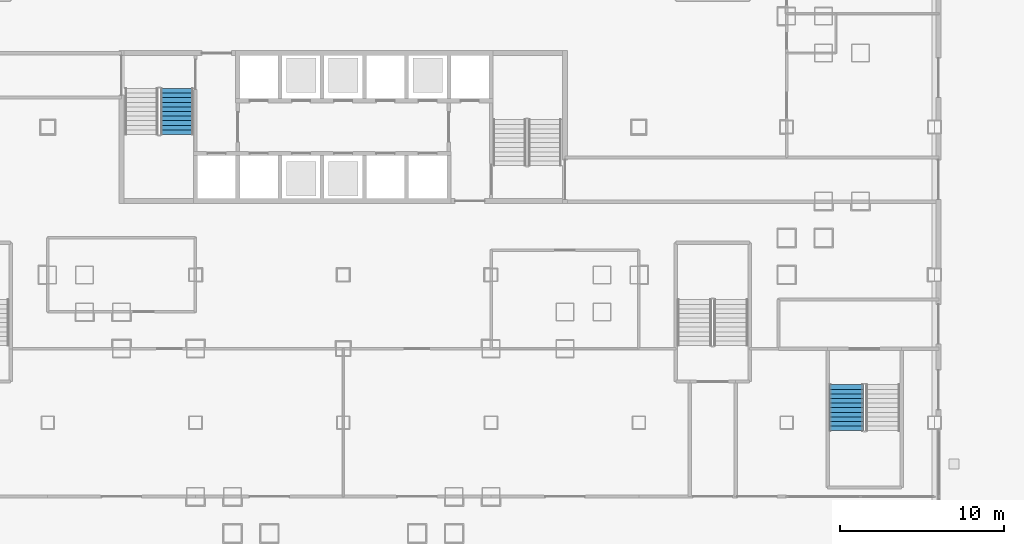
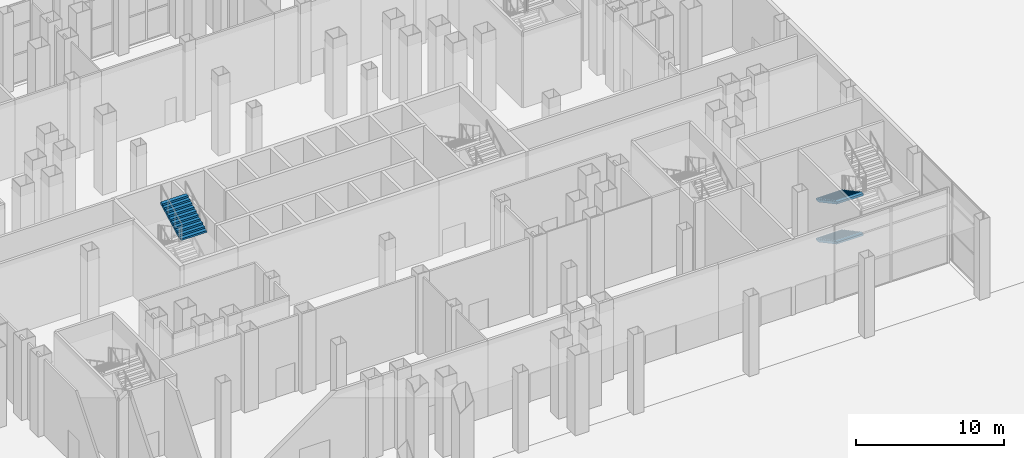
# One storey, part 23 of 38: 3 stair flights, 2 elements without a shape of their own.
"""IFC4 building model written with IfcOpenShell, lengths in metres."""

from ifc_helpers import new_model, si_unit, direction, frame, origin, place, context, subcontext, project, spatial, polygons, material, type_object, element, aggregate, save


model = new_model("IFC4")

# Units and contexts
model_context = context("Model", 3, precision=1e-05, world=origin(), true_north=direction((0.0, 1.0)))
body_context = subcontext(model_context, "Body", "Model", "MODEL_VIEW")
ifc_project = project(units=[si_unit("LENGTHUNIT", "METRE"), si_unit("AREAUNIT", "SQUARE_METRE"), si_unit("VOLUMEUNIT", "CUBIC_METRE"), si_unit("PLANEANGLEUNIT", "RADIAN"), si_unit("MASSUNIT", "GRAM", prefix="KILO")], contexts=[model_context])

# Site, building, storey
site_placement = place(None, origin())
site = spatial("IfcSite", under=ifc_project, at=site_placement, CompositionType="ELEMENT")
building_placement = place(site_placement, origin())
building = spatial("IfcBuilding", under=site, at=building_placement, Name="Caravel Reach Hotel and Residences", CompositionType="ELEMENT")
storey_placement = place(building_placement, origin())
storey = spatial("IfcBuildingStorey", under=building, at=storey_placement, Name="L00", CompositionType="ELEMENT", Elevation=0.0)

# Stair, stair flight
ifc_material_1 = material(Name="Concrete C40", Category="concrete")
stair_type = type_object("IfcStairType", Name="Core stair", PredefinedType="HALF_TURN_STAIR", material=ifc_material_1)
stair_1_placement = place(storey_placement, origin())
stair_1 = element("IfcStair", 1, at=stair_1_placement, inside=storey, type_object=stair_type, Name="L00 Exit stair A", PredefinedType="HALF_TURN_STAIR")
ifc_material_2 = material(Name="Concrete C40", Category="concrete")
stair_flight_type = type_object("IfcStairFlightType", Name="Core stair flight", PredefinedType="STRAIGHT", material=ifc_material_2)
stair_flight_1_placement = place(storey_placement, frame((21.375, 26.550048828125, 4.949951171875), z_axis=(0.0, 0.0, 1.0), x_axis=(0.0, 1.0, 0.0)))
stair_flight_1 = element("IfcStairFlight", 2, at=stair_flight_1_placement, type_object=stair_flight_type, Name="ST-A flight 4", NumberOfRisers=11, NumberOfTreads=10, PredefinedType="STRAIGHT", RiserHeight=0.15, TreadLength=0.28, context=body_context, shape_type="Tessellation", body=[
    polygons([(0.3174408016601862, 1.0, 0.0), (0.3174408016601862, 0.6666666666666667, 0.0), (0.3174408016601862, 0.33333333333333337, 0.0), (0.3174408016601862, 0.0, 0.0), (0.3174408016601862, -0.33333333333333326, 0.0), (0.3174408016601862, -0.6666666666666667, 0.0), (0.3174408016601862, -1.0, 0.0), (2.801, 1.0, 1.329942427682043), (2.801, 0.6666666666666667, 1.329942427682043), (2.801, 0.33333333333333337, 1.329942427682043), (2.801, 0.0, 1.329942427682043), (2.801, -0.33333333333333326, 1.329942427682043), (2.801, -0.6666666666666667, 1.329942427682043), (2.801, -1.0, 1.329942427682043), (2.801, 1.0, 1.5), (2.801, 0.6666666666666667, 1.5), (2.801, 0.33333333333333337, 1.5), (2.801, 0.0, 1.5), (2.801, -0.33333333333333326, 1.5), (2.801, -0.6666666666666667, 1.5), (2.801, -1.0, 1.5), (2.5200000000000005, 1.0, 1.5), (2.5200000000000005, 0.6666666666666667, 1.5), (2.5200000000000005, 0.33333333333333337, 1.5), (2.5200000000000005, 0.0, 1.5), (2.5200000000000005, -0.33333333333333326, 1.5), (2.5200000000000005, -0.6666666666666667, 1.5), (2.5200000000000005, -1.0, 1.5), (2.5200000000000005, 1.0, 1.3499999999999999), (2.5200000000000005, 0.6666666666666667, 1.3499999999999999), (2.5200000000000005, 0.33333333333333337, 1.3499999999999999), (2.5200000000000005, 0.0, 1.3499999999999999), (2.5200000000000005, -0.33333333333333326, 1.3499999999999999), (2.5200000000000005, -0.6666666666666667, 1.3499999999999999), (2.5200000000000005, -1.0, 1.3499999999999999), (2.24, 1.0, 1.3499999999999999), (2.24, 0.6666666666666667, 1.3499999999999999), (2.24, 0.33333333333333337, 1.3499999999999999), (2.24, 0.0, 1.3499999999999999), (2.24, -0.33333333333333326, 1.3499999999999999), (2.24, -0.6666666666666667, 1.3499999999999999), (2.24, -1.0, 1.3499999999999999), (2.24, 1.0, 1.2), (2.24, 0.6666666666666667, 1.2), (2.24, 0.33333333333333337, 1.2), (2.24, 0.0, 1.2), (2.24, -0.33333333333333326, 1.2), (2.24, -0.6666666666666667, 1.2), (2.24, -1.0, 1.2), (1.9600000000000002, 1.0, 1.2), (1.9600000000000002, 0.6666666666666667, 1.2), (1.9600000000000002, 0.33333333333333337, 1.2), (1.9600000000000002, 0.0, 1.2), (1.9600000000000002, -0.33333333333333326, 1.2), (1.9600000000000002, -0.6666666666666667, 1.2), (1.9600000000000002, -1.0, 1.2), (1.9600000000000002, 1.0, 1.05), (1.9600000000000002, 0.6666666666666667, 1.05), (1.9600000000000002, 0.33333333333333337, 1.05), (1.9600000000000002, 0.0, 1.05), (1.9600000000000002, -0.33333333333333326, 1.05), (1.9600000000000002, -0.6666666666666667, 1.05), (1.9600000000000002, -1.0, 1.05), (1.6800000000000002, 1.0, 1.05), (1.6800000000000002, 0.6666666666666667, 1.05), (1.6800000000000002, 0.33333333333333337, 1.05), (1.6800000000000002, 0.0, 1.05), (1.6800000000000002, -0.33333333333333326, 1.05), (1.6800000000000002, -0.6666666666666667, 1.05), (1.6800000000000002, -1.0, 1.05), (1.6800000000000002, 1.0, 0.8999999999999999), (1.6800000000000002, 0.6666666666666667, 0.8999999999999999), (1.6800000000000002, 0.33333333333333337, 0.8999999999999999), (1.6800000000000002, 0.0, 0.8999999999999999), (1.6800000000000002, -0.33333333333333326, 0.8999999999999999), (1.6800000000000002, -0.6666666666666667, 0.8999999999999999), (1.6800000000000002, -1.0, 0.8999999999999999), (1.4000000000000001, 1.0, 0.8999999999999999), (1.4000000000000001, 0.6666666666666667, 0.8999999999999999), (1.4000000000000001, 0.33333333333333337, 0.8999999999999999), (1.4000000000000001, 0.0, 0.8999999999999999), (1.4000000000000001, -0.33333333333333326, 0.8999999999999999), (1.4000000000000001, -0.6666666666666667, 0.8999999999999999), (1.4000000000000001, -1.0, 0.8999999999999999), (1.4000000000000001, 1.0, 0.75), (1.4000000000000001, 0.6666666666666667, 0.75), (1.4000000000000001, 0.33333333333333337, 0.75), (1.4000000000000001, 0.0, 0.75), (1.4000000000000001, -0.33333333333333326, 0.75), (1.4000000000000001, -0.6666666666666667, 0.75), (1.4000000000000001, -1.0, 0.75), (1.12, 1.0, 0.75), (1.12, 0.6666666666666667, 0.75), (1.12, 0.33333333333333337, 0.75), (1.12, 0.0, 0.75), (1.12, -0.33333333333333326, 0.75), (1.12, -0.6666666666666667, 0.75), (1.12, -1.0, 0.75), (1.12, 1.0, 0.6), (1.12, 0.6666666666666667, 0.6), (1.12, 0.33333333333333337, 0.6), (1.12, 0.0, 0.6), (1.12, -0.33333333333333326, 0.6), (1.12, -0.6666666666666667, 0.6), (1.12, -1.0, 0.6), (0.8400000000000001, 1.0, 0.6), (0.8400000000000001, 0.6666666666666667, 0.6), (0.8400000000000001, 0.33333333333333337, 0.6), (0.8400000000000001, 0.0, 0.6), (0.8400000000000001, -0.33333333333333326, 0.6), (0.8400000000000001, -0.6666666666666667, 0.6), (0.8400000000000001, -1.0, 0.6), (0.8400000000000001, 1.0, 0.44999999999999996), (0.8400000000000001, 0.6666666666666667, 0.44999999999999996), (0.8400000000000001, 0.33333333333333337, 0.44999999999999996), (0.8400000000000001, 0.0, 0.44999999999999996), (0.8400000000000001, -0.33333333333333326, 0.44999999999999996), (0.8400000000000001, -0.6666666666666667, 0.44999999999999996), (0.8400000000000001, -1.0, 0.44999999999999996), (0.56, 1.0, 0.44999999999999996), (0.56, 0.6666666666666667, 0.44999999999999996), (0.56, 0.33333333333333337, 0.44999999999999996), (0.56, 0.0, 0.44999999999999996), (0.56, -0.33333333333333326, 0.44999999999999996), (0.56, -0.6666666666666667, 0.44999999999999996), (0.56, -1.0, 0.44999999999999996), (0.56, 1.0, 0.3), (0.56, 0.6666666666666667, 0.3), (0.56, 0.33333333333333337, 0.3), (0.56, 0.0, 0.3), (0.56, -0.33333333333333326, 0.3), (0.56, -0.6666666666666667, 0.3), (0.56, -1.0, 0.3), (0.28, 1.0, 0.3), (0.28, 0.6666666666666667, 0.3), (0.28, 0.33333333333333337, 0.3), (0.28, 0.0, 0.3), (0.28, -0.33333333333333326, 0.3), (0.28, -0.6666666666666667, 0.3), (0.28, -1.0, 0.3), (0.28, 1.0, 0.15), (0.28, 0.6666666666666667, 0.15), (0.28, 0.33333333333333337, 0.15), (0.28, 0.0, 0.15), (0.28, -0.33333333333333326, 0.15), (0.28, -0.6666666666666667, 0.15), (0.28, -1.0, 0.15), (-0.001, 1.0, 0.15), (-0.001, 0.6666666666666667, 0.15), (-0.001, 0.33333333333333337, 0.15), (-0.001, 0.0, 0.15), (-0.001, -0.33333333333333326, 0.15), (-0.001, -0.6666666666666667, 0.15), (-0.001, -1.0, 0.15), (-0.001, 1.0, 0.0), (-0.001, 0.6666666666666667, 0.0), (-0.001, 0.33333333333333337, 0.0), (-0.001, 0.0, 0.0), (-0.001, -0.33333333333333326, 0.0), (-0.001, -0.6666666666666667, 0.0), (-0.001, -1.0, 0.0)], [[[155, 148, 141, 134, 127, 120, 113, 106, 99, 92, 85, 78, 71, 64, 57, 50, 43, 36, 29, 22, 15, 8, 1]], [[7, 14, 21, 28, 35, 42, 49, 56, 63, 70, 77, 84, 91, 98, 105, 112, 119, 126, 133, 140, 147, 154, 161]], [[1, 8, 9, 2]], [[2, 9, 10, 3]], [[3, 10, 11, 4]], [[4, 11, 12, 5]], [[5, 12, 13, 6]], [[6, 13, 14, 7]], [[8, 15, 16, 9]], [[9, 16, 17, 10]], [[10, 17, 18, 11]], [[11, 18, 19, 12]], [[12, 19, 20, 13]], [[13, 20, 21, 14]], [[15, 22, 23, 16]], [[16, 23, 24, 17]], [[17, 24, 25, 18]], [[18, 25, 26, 19]], [[19, 26, 27, 20]], [[20, 27, 28, 21]], [[22, 29, 30, 23]], [[23, 30, 31, 24]], [[24, 31, 32, 25]], [[25, 32, 33, 26]], [[26, 33, 34, 27]], [[27, 34, 35, 28]], [[29, 36, 37, 30]], [[30, 37, 38, 31]], [[31, 38, 39, 32]], [[32, 39, 40, 33]], [[33, 40, 41, 34]], [[34, 41, 42, 35]], [[36, 43, 44, 37]], [[37, 44, 45, 38]], [[38, 45, 46, 39]], [[39, 46, 47, 40]], [[40, 47, 48, 41]], [[41, 48, 49, 42]], [[43, 50, 51, 44]], [[44, 51, 52, 45]], [[45, 52, 53, 46]], [[46, 53, 54, 47]], [[47, 54, 55, 48]], [[48, 55, 56, 49]], [[50, 57, 58, 51]], [[51, 58, 59, 52]], [[52, 59, 60, 53]], [[53, 60, 61, 54]], [[54, 61, 62, 55]], [[55, 62, 63, 56]], [[57, 64, 65, 58]], [[58, 65, 66, 59]], [[59, 66, 67, 60]], [[60, 67, 68, 61]], [[61, 68, 69, 62]], [[62, 69, 70, 63]], [[64, 71, 72, 65]], [[65, 72, 73, 66]], [[66, 73, 74, 67]], [[67, 74, 75, 68]], [[68, 75, 76, 69]], [[69, 76, 77, 70]], [[71, 78, 79, 72]], [[72, 79, 80, 73]], [[73, 80, 81, 74]], [[74, 81, 82, 75]], [[75, 82, 83, 76]], [[76, 83, 84, 77]], [[78, 85, 86, 79]], [[79, 86, 87, 80]], [[80, 87, 88, 81]], [[81, 88, 89, 82]], [[82, 89, 90, 83]], [[83, 90, 91, 84]], [[85, 92, 93, 86]], [[86, 93, 94, 87]], [[87, 94, 95, 88]], [[88, 95, 96, 89]], [[89, 96, 97, 90]], [[90, 97, 98, 91]], [[92, 99, 100, 93]], [[93, 100, 101, 94]], [[94, 101, 102, 95]], [[95, 102, 103, 96]], [[96, 103, 104, 97]], [[97, 104, 105, 98]], [[99, 106, 107, 100]], [[100, 107, 108, 101]], [[101, 108, 109, 102]], [[102, 109, 110, 103]], [[103, 110, 111, 104]], [[104, 111, 112, 105]], [[106, 113, 114, 107]], [[107, 114, 115, 108]], [[108, 115, 116, 109]], [[109, 116, 117, 110]], [[110, 117, 118, 111]], [[111, 118, 119, 112]], [[113, 120, 121, 114]], [[114, 121, 122, 115]], [[115, 122, 123, 116]], [[116, 123, 124, 117]], [[117, 124, 125, 118]], [[118, 125, 126, 119]], [[120, 127, 128, 121]], [[121, 128, 129, 122]], [[122, 129, 130, 123]], [[123, 130, 131, 124]], [[124, 131, 132, 125]], [[125, 132, 133, 126]], [[127, 134, 135, 128]], [[128, 135, 136, 129]], [[129, 136, 137, 130]], [[130, 137, 138, 131]], [[131, 138, 139, 132]], [[132, 139, 140, 133]], [[134, 141, 142, 135]], [[135, 142, 143, 136]], [[136, 143, 144, 137]], [[137, 144, 145, 138]], [[138, 145, 146, 139]], [[139, 146, 147, 140]], [[141, 148, 149, 142]], [[142, 149, 150, 143]], [[143, 150, 151, 144]], [[144, 151, 152, 145]], [[145, 152, 153, 146]], [[146, 153, 154, 147]], [[148, 155, 156, 149]], [[149, 156, 157, 150]], [[150, 157, 158, 151]], [[151, 158, 159, 152]], [[152, 159, 160, 153]], [[153, 160, 161, 154]], [[155, 1, 2, 156]], [[156, 2, 3, 157]], [[157, 3, 4, 158]], [[158, 4, 5, 159]], [[159, 5, 6, 160]], [[160, 6, 7, 161]]], closed=True),
])
aggregate(stair_1, [stair_flight_1])

# Stair, stair flights
stair_2_placement = place(storey_placement, origin())
stair_2 = element("IfcStair", 3, at=stair_2_placement, inside=storey, type_object=stair_type, Name="L00 Exit stair P7", PredefinedType="HALF_TURN_STAIR")
stair_flight_2_placement = place(storey_placement, frame((62.139892578125, 11.31005859375, 0.0), z_axis=(0.0, 0.0, 1.0), x_axis=(0.0, -1.0, 0.0)))
stair_flight_2 = element("IfcStairFlight", 4, at=stair_flight_2_placement, type_object=stair_flight_type, Name="ST-P7 flight 1", NumberOfRisers=11, NumberOfTreads=10, PredefinedType="STRAIGHT", RiserHeight=0.15, TreadLength=0.28, context=body_context, shape_type="Tessellation", body=[
    polygons([(0.3174408016601862, 1.0350341796875, 0.0), (0.3174408016601862, 0.6900227864583333, 0.0), (0.3174408016601862, 0.34501139322916663, 0.0), (0.3174408016601862, 0.0, 0.0), (0.3174408016601862, -0.34501139322916674, 0.0), (0.3174408016601862, -0.6900227864583333, 0.0), (0.3174408016601862, -1.0350341796875, 0.0), (2.801, 1.0350341796875, 1.329942427682043), (2.801, 0.6900227864583333, 1.329942427682043), (2.801, 0.34501139322916663, 1.329942427682043), (2.801, 0.0, 1.329942427682043), (2.801, -0.34501139322916674, 1.329942427682043), (2.801, -0.6900227864583333, 1.329942427682043), (2.801, -1.0350341796875, 1.329942427682043), (2.801, 1.0350341796875, 1.5), (2.801, 0.6900227864583333, 1.5), (2.801, 0.34501139322916663, 1.5), (2.801, 0.0, 1.5), (2.801, -0.34501139322916674, 1.5), (2.801, -0.6900227864583333, 1.5), (2.801, -1.0350341796875, 1.5), (2.5200000000000005, 1.0350341796875, 1.5), (2.5200000000000005, 0.6900227864583333, 1.5), (2.5200000000000005, 0.34501139322916663, 1.5), (2.5200000000000005, 0.0, 1.5), (2.5200000000000005, -0.34501139322916674, 1.5), (2.5200000000000005, -0.6900227864583333, 1.5), (2.5200000000000005, -1.0350341796875, 1.5), (2.5200000000000005, 1.0350341796875, 1.3499999999999999), (2.5200000000000005, 0.6900227864583333, 1.3499999999999999), (2.5200000000000005, 0.34501139322916663, 1.3499999999999999), (2.5200000000000005, 0.0, 1.3499999999999999), (2.5200000000000005, -0.34501139322916674, 1.3499999999999999), (2.5200000000000005, -0.6900227864583333, 1.3499999999999999), (2.5200000000000005, -1.0350341796875, 1.3499999999999999), (2.24, 1.0350341796875, 1.3499999999999999), (2.24, 0.6900227864583333, 1.3499999999999999), (2.24, 0.34501139322916663, 1.3499999999999999), (2.24, 0.0, 1.3499999999999999), (2.24, -0.34501139322916674, 1.3499999999999999), (2.24, -0.6900227864583333, 1.3499999999999999), (2.24, -1.0350341796875, 1.3499999999999999), (2.24, 1.0350341796875, 1.2), (2.24, 0.6900227864583333, 1.2), (2.24, 0.34501139322916663, 1.2), (2.24, 0.0, 1.2), (2.24, -0.34501139322916674, 1.2), (2.24, -0.6900227864583333, 1.2), (2.24, -1.0350341796875, 1.2), (1.9600000000000002, 1.0350341796875, 1.2), (1.9600000000000002, 0.6900227864583333, 1.2), (1.9600000000000002, 0.34501139322916663, 1.2), (1.9600000000000002, 0.0, 1.2), (1.9600000000000002, -0.34501139322916674, 1.2), (1.9600000000000002, -0.6900227864583333, 1.2), (1.9600000000000002, -1.0350341796875, 1.2), (1.9600000000000002, 1.0350341796875, 1.05), (1.9600000000000002, 0.6900227864583333, 1.05), (1.9600000000000002, 0.34501139322916663, 1.05), (1.9600000000000002, 0.0, 1.05), (1.9600000000000002, -0.34501139322916674, 1.05), (1.9600000000000002, -0.6900227864583333, 1.05), (1.9600000000000002, -1.0350341796875, 1.05), (1.6800000000000002, 1.0350341796875, 1.05), (1.6800000000000002, 0.6900227864583333, 1.05), (1.6800000000000002, 0.34501139322916663, 1.05), (1.6800000000000002, 0.0, 1.05), (1.6800000000000002, -0.34501139322916674, 1.05), (1.6800000000000002, -0.6900227864583333, 1.05), (1.6800000000000002, -1.0350341796875, 1.05), (1.6800000000000002, 1.0350341796875, 0.8999999999999999), (1.6800000000000002, 0.6900227864583333, 0.8999999999999999), (1.6800000000000002, 0.34501139322916663, 0.8999999999999999), (1.6800000000000002, 0.0, 0.8999999999999999), (1.6800000000000002, -0.34501139322916674, 0.8999999999999999), (1.6800000000000002, -0.6900227864583333, 0.8999999999999999), (1.6800000000000002, -1.0350341796875, 0.8999999999999999), (1.4000000000000001, 1.0350341796875, 0.8999999999999999), (1.4000000000000001, 0.6900227864583333, 0.8999999999999999), (1.4000000000000001, 0.34501139322916663, 0.8999999999999999), (1.4000000000000001, 0.0, 0.8999999999999999), (1.4000000000000001, -0.34501139322916674, 0.8999999999999999), (1.4000000000000001, -0.6900227864583333, 0.8999999999999999), (1.4000000000000001, -1.0350341796875, 0.8999999999999999), (1.4000000000000001, 1.0350341796875, 0.75), (1.4000000000000001, 0.6900227864583333, 0.75), (1.4000000000000001, 0.34501139322916663, 0.75), (1.4000000000000001, 0.0, 0.75), (1.4000000000000001, -0.34501139322916674, 0.75), (1.4000000000000001, -0.6900227864583333, 0.75), (1.4000000000000001, -1.0350341796875, 0.75), (1.12, 1.0350341796875, 0.75), (1.12, 0.6900227864583333, 0.75), (1.12, 0.34501139322916663, 0.75), (1.12, 0.0, 0.75), (1.12, -0.34501139322916674, 0.75), (1.12, -0.6900227864583333, 0.75), (1.12, -1.0350341796875, 0.75), (1.12, 1.0350341796875, 0.6), (1.12, 0.6900227864583333, 0.6), (1.12, 0.34501139322916663, 0.6), (1.12, 0.0, 0.6), (1.12, -0.34501139322916674, 0.6), (1.12, -0.6900227864583333, 0.6), (1.12, -1.0350341796875, 0.6), (0.8400000000000001, 1.0350341796875, 0.6), (0.8400000000000001, 0.6900227864583333, 0.6), (0.8400000000000001, 0.34501139322916663, 0.6), (0.8400000000000001, 0.0, 0.6), (0.8400000000000001, -0.34501139322916674, 0.6), (0.8400000000000001, -0.6900227864583333, 0.6), (0.8400000000000001, -1.0350341796875, 0.6), (0.8400000000000001, 1.0350341796875, 0.44999999999999996), (0.8400000000000001, 0.6900227864583333, 0.44999999999999996), (0.8400000000000001, 0.34501139322916663, 0.44999999999999996), (0.8400000000000001, 0.0, 0.44999999999999996), (0.8400000000000001, -0.34501139322916674, 0.44999999999999996), (0.8400000000000001, -0.6900227864583333, 0.44999999999999996), (0.8400000000000001, -1.0350341796875, 0.44999999999999996), (0.56, 1.0350341796875, 0.44999999999999996), (0.56, 0.6900227864583333, 0.44999999999999996), (0.56, 0.34501139322916663, 0.44999999999999996), (0.56, 0.0, 0.44999999999999996), (0.56, -0.34501139322916674, 0.44999999999999996), (0.56, -0.6900227864583333, 0.44999999999999996), (0.56, -1.0350341796875, 0.44999999999999996), (0.56, 1.0350341796875, 0.3), (0.56, 0.6900227864583333, 0.3), (0.56, 0.34501139322916663, 0.3), (0.56, 0.0, 0.3), (0.56, -0.34501139322916674, 0.3), (0.56, -0.6900227864583333, 0.3), (0.56, -1.0350341796875, 0.3), (0.28, 1.0350341796875, 0.3), (0.28, 0.6900227864583333, 0.3), (0.28, 0.34501139322916663, 0.3), (0.28, 0.0, 0.3), (0.28, -0.34501139322916674, 0.3), (0.28, -0.6900227864583333, 0.3), (0.28, -1.0350341796875, 0.3), (0.28, 1.0350341796875, 0.15), (0.28, 0.6900227864583333, 0.15), (0.28, 0.34501139322916663, 0.15), (0.28, 0.0, 0.15), (0.28, -0.34501139322916674, 0.15), (0.28, -0.6900227864583333, 0.15), (0.28, -1.0350341796875, 0.15), (-0.001, 1.0350341796875, 0.15), (-0.001, 0.6900227864583333, 0.15), (-0.001, 0.34501139322916663, 0.15), (-0.001, 0.0, 0.15), (-0.001, -0.34501139322916674, 0.15), (-0.001, -0.6900227864583333, 0.15), (-0.001, -1.0350341796875, 0.15), (-0.001, 1.0350341796875, 0.0), (-0.001, 0.6900227864583333, 0.0), (-0.001, 0.34501139322916663, 0.0), (-0.001, 0.0, 0.0), (-0.001, -0.34501139322916674, 0.0), (-0.001, -0.6900227864583333, 0.0), (-0.001, -1.0350341796875, 0.0)], [[[155, 148, 141, 134, 127, 120, 113, 106, 99, 92, 85, 78, 71, 64, 57, 50, 43, 36, 29, 22, 15, 8, 1]], [[7, 14, 21, 28, 35, 42, 49, 56, 63, 70, 77, 84, 91, 98, 105, 112, 119, 126, 133, 140, 147, 154, 161]], [[1, 8, 9, 2]], [[2, 9, 10, 3]], [[3, 10, 11, 4]], [[4, 11, 12, 5]], [[5, 12, 13, 6]], [[6, 13, 14, 7]], [[8, 15, 16, 9]], [[9, 16, 17, 10]], [[10, 17, 18, 11]], [[11, 18, 19, 12]], [[12, 19, 20, 13]], [[13, 20, 21, 14]], [[15, 22, 23, 16]], [[16, 23, 24, 17]], [[17, 24, 25, 18]], [[18, 25, 26, 19]], [[19, 26, 27, 20]], [[20, 27, 28, 21]], [[22, 29, 30, 23]], [[23, 30, 31, 24]], [[24, 31, 32, 25]], [[25, 32, 33, 26]], [[26, 33, 34, 27]], [[27, 34, 35, 28]], [[29, 36, 37, 30]], [[30, 37, 38, 31]], [[31, 38, 39, 32]], [[32, 39, 40, 33]], [[33, 40, 41, 34]], [[34, 41, 42, 35]], [[36, 43, 44, 37]], [[37, 44, 45, 38]], [[38, 45, 46, 39]], [[39, 46, 47, 40]], [[40, 47, 48, 41]], [[41, 48, 49, 42]], [[43, 50, 51, 44]], [[44, 51, 52, 45]], [[45, 52, 53, 46]], [[46, 53, 54, 47]], [[47, 54, 55, 48]], [[48, 55, 56, 49]], [[50, 57, 58, 51]], [[51, 58, 59, 52]], [[52, 59, 60, 53]], [[53, 60, 61, 54]], [[54, 61, 62, 55]], [[55, 62, 63, 56]], [[57, 64, 65, 58]], [[58, 65, 66, 59]], [[59, 66, 67, 60]], [[60, 67, 68, 61]], [[61, 68, 69, 62]], [[62, 69, 70, 63]], [[64, 71, 72, 65]], [[65, 72, 73, 66]], [[66, 73, 74, 67]], [[67, 74, 75, 68]], [[68, 75, 76, 69]], [[69, 76, 77, 70]], [[71, 78, 79, 72]], [[72, 79, 80, 73]], [[73, 80, 81, 74]], [[74, 81, 82, 75]], [[75, 82, 83, 76]], [[76, 83, 84, 77]], [[78, 85, 86, 79]], [[79, 86, 87, 80]], [[80, 87, 88, 81]], [[81, 88, 89, 82]], [[82, 89, 90, 83]], [[83, 90, 91, 84]], [[85, 92, 93, 86]], [[86, 93, 94, 87]], [[87, 94, 95, 88]], [[88, 95, 96, 89]], [[89, 96, 97, 90]], [[90, 97, 98, 91]], [[92, 99, 100, 93]], [[93, 100, 101, 94]], [[94, 101, 102, 95]], [[95, 102, 103, 96]], [[96, 103, 104, 97]], [[97, 104, 105, 98]], [[99, 106, 107, 100]], [[100, 107, 108, 101]], [[101, 108, 109, 102]], [[102, 109, 110, 103]], [[103, 110, 111, 104]], [[104, 111, 112, 105]], [[106, 113, 114, 107]], [[107, 114, 115, 108]], [[108, 115, 116, 109]], [[109, 116, 117, 110]], [[110, 117, 118, 111]], [[111, 118, 119, 112]], [[113, 120, 121, 114]], [[114, 121, 122, 115]], [[115, 122, 123, 116]], [[116, 123, 124, 117]], [[117, 124, 125, 118]], [[118, 125, 126, 119]], [[120, 127, 128, 121]], [[121, 128, 129, 122]], [[122, 129, 130, 123]], [[123, 130, 131, 124]], [[124, 131, 132, 125]], [[125, 132, 133, 126]], [[127, 134, 135, 128]], [[128, 135, 136, 129]], [[129, 136, 137, 130]], [[130, 137, 138, 131]], [[131, 138, 139, 132]], [[132, 139, 140, 133]], [[134, 141, 142, 135]], [[135, 142, 143, 136]], [[136, 143, 144, 137]], [[137, 144, 145, 138]], [[138, 145, 146, 139]], [[139, 146, 147, 140]], [[141, 148, 149, 142]], [[142, 149, 150, 143]], [[143, 150, 151, 144]], [[144, 151, 152, 145]], [[145, 152, 153, 146]], [[146, 153, 154, 147]], [[148, 155, 156, 149]], [[149, 156, 157, 150]], [[150, 157, 158, 151]], [[151, 158, 159, 152]], [[152, 159, 160, 153]], [[153, 160, 161, 154]], [[155, 1, 2, 156]], [[156, 2, 3, 157]], [[157, 3, 4, 158]], [[158, 4, 5, 159]], [[159, 5, 6, 160]], [[160, 6, 7, 161]]], closed=True),
])
stair_flight_3_placement = place(storey_placement, frame((62.139892578125, 11.31005859375, 3.300048828125), z_axis=(0.0, 0.0, 1.0), x_axis=(0.0, -1.0, 0.0)))
stair_flight_3 = element("IfcStairFlight", 5, at=stair_flight_3_placement, type_object=stair_flight_type, Name="ST-P7 flight 3", NumberOfRisers=11, NumberOfTreads=10, PredefinedType="STRAIGHT", RiserHeight=0.15, TreadLength=0.28, context=body_context, shape_type="Tessellation", body=[
    polygons([(0.3174408016601862, 1.0350341796875, 0.0), (0.3174408016601862, 0.6900227864583333, 0.0), (0.3174408016601862, 0.34501139322916663, 0.0), (0.3174408016601862, 0.0, 0.0), (0.3174408016601862, -0.34501139322916674, 0.0), (0.3174408016601862, -0.6900227864583333, 0.0), (0.3174408016601862, -1.0350341796875, 0.0), (2.801, 1.0350341796875, 1.329942427682043), (2.801, 0.6900227864583333, 1.329942427682043), (2.801, 0.34501139322916663, 1.329942427682043), (2.801, 0.0, 1.329942427682043), (2.801, -0.34501139322916674, 1.329942427682043), (2.801, -0.6900227864583333, 1.329942427682043), (2.801, -1.0350341796875, 1.329942427682043), (2.801, 1.0350341796875, 1.5), (2.801, 0.6900227864583333, 1.5), (2.801, 0.34501139322916663, 1.5), (2.801, 0.0, 1.5), (2.801, -0.34501139322916674, 1.5), (2.801, -0.6900227864583333, 1.5), (2.801, -1.0350341796875, 1.5), (2.5200000000000005, 1.0350341796875, 1.5), (2.5200000000000005, 0.6900227864583333, 1.5), (2.5200000000000005, 0.34501139322916663, 1.5), (2.5200000000000005, 0.0, 1.5), (2.5200000000000005, -0.34501139322916674, 1.5), (2.5200000000000005, -0.6900227864583333, 1.5), (2.5200000000000005, -1.0350341796875, 1.5), (2.5200000000000005, 1.0350341796875, 1.3499999999999999), (2.5200000000000005, 0.6900227864583333, 1.3499999999999999), (2.5200000000000005, 0.34501139322916663, 1.3499999999999999), (2.5200000000000005, 0.0, 1.3499999999999999), (2.5200000000000005, -0.34501139322916674, 1.3499999999999999), (2.5200000000000005, -0.6900227864583333, 1.3499999999999999), (2.5200000000000005, -1.0350341796875, 1.3499999999999999), (2.24, 1.0350341796875, 1.3499999999999999), (2.24, 0.6900227864583333, 1.3499999999999999), (2.24, 0.34501139322916663, 1.3499999999999999), (2.24, 0.0, 1.3499999999999999), (2.24, -0.34501139322916674, 1.3499999999999999), (2.24, -0.6900227864583333, 1.3499999999999999), (2.24, -1.0350341796875, 1.3499999999999999), (2.24, 1.0350341796875, 1.2), (2.24, 0.6900227864583333, 1.2), (2.24, 0.34501139322916663, 1.2), (2.24, 0.0, 1.2), (2.24, -0.34501139322916674, 1.2), (2.24, -0.6900227864583333, 1.2), (2.24, -1.0350341796875, 1.2), (1.9600000000000002, 1.0350341796875, 1.2), (1.9600000000000002, 0.6900227864583333, 1.2), (1.9600000000000002, 0.34501139322916663, 1.2), (1.9600000000000002, 0.0, 1.2), (1.9600000000000002, -0.34501139322916674, 1.2), (1.9600000000000002, -0.6900227864583333, 1.2), (1.9600000000000002, -1.0350341796875, 1.2), (1.9600000000000002, 1.0350341796875, 1.05), (1.9600000000000002, 0.6900227864583333, 1.05), (1.9600000000000002, 0.34501139322916663, 1.05), (1.9600000000000002, 0.0, 1.05), (1.9600000000000002, -0.34501139322916674, 1.05), (1.9600000000000002, -0.6900227864583333, 1.05), (1.9600000000000002, -1.0350341796875, 1.05), (1.6800000000000002, 1.0350341796875, 1.05), (1.6800000000000002, 0.6900227864583333, 1.05), (1.6800000000000002, 0.34501139322916663, 1.05), (1.6800000000000002, 0.0, 1.05), (1.6800000000000002, -0.34501139322916674, 1.05), (1.6800000000000002, -0.6900227864583333, 1.05), (1.6800000000000002, -1.0350341796875, 1.05), (1.6800000000000002, 1.0350341796875, 0.8999999999999999), (1.6800000000000002, 0.6900227864583333, 0.8999999999999999), (1.6800000000000002, 0.34501139322916663, 0.8999999999999999), (1.6800000000000002, 0.0, 0.8999999999999999), (1.6800000000000002, -0.34501139322916674, 0.8999999999999999), (1.6800000000000002, -0.6900227864583333, 0.8999999999999999), (1.6800000000000002, -1.0350341796875, 0.8999999999999999), (1.4000000000000001, 1.0350341796875, 0.8999999999999999), (1.4000000000000001, 0.6900227864583333, 0.8999999999999999), (1.4000000000000001, 0.34501139322916663, 0.8999999999999999), (1.4000000000000001, 0.0, 0.8999999999999999), (1.4000000000000001, -0.34501139322916674, 0.8999999999999999), (1.4000000000000001, -0.6900227864583333, 0.8999999999999999), (1.4000000000000001, -1.0350341796875, 0.8999999999999999), (1.4000000000000001, 1.0350341796875, 0.75), (1.4000000000000001, 0.6900227864583333, 0.75), (1.4000000000000001, 0.34501139322916663, 0.75), (1.4000000000000001, 0.0, 0.75), (1.4000000000000001, -0.34501139322916674, 0.75), (1.4000000000000001, -0.6900227864583333, 0.75), (1.4000000000000001, -1.0350341796875, 0.75), (1.12, 1.0350341796875, 0.75), (1.12, 0.6900227864583333, 0.75), (1.12, 0.34501139322916663, 0.75), (1.12, 0.0, 0.75), (1.12, -0.34501139322916674, 0.75), (1.12, -0.6900227864583333, 0.75), (1.12, -1.0350341796875, 0.75), (1.12, 1.0350341796875, 0.6), (1.12, 0.6900227864583333, 0.6), (1.12, 0.34501139322916663, 0.6), (1.12, 0.0, 0.6), (1.12, -0.34501139322916674, 0.6), (1.12, -0.6900227864583333, 0.6), (1.12, -1.0350341796875, 0.6), (0.8400000000000001, 1.0350341796875, 0.6), (0.8400000000000001, 0.6900227864583333, 0.6), (0.8400000000000001, 0.34501139322916663, 0.6), (0.8400000000000001, 0.0, 0.6), (0.8400000000000001, -0.34501139322916674, 0.6), (0.8400000000000001, -0.6900227864583333, 0.6), (0.8400000000000001, -1.0350341796875, 0.6), (0.8400000000000001, 1.0350341796875, 0.44999999999999996), (0.8400000000000001, 0.6900227864583333, 0.44999999999999996), (0.8400000000000001, 0.34501139322916663, 0.44999999999999996), (0.8400000000000001, 0.0, 0.44999999999999996), (0.8400000000000001, -0.34501139322916674, 0.44999999999999996), (0.8400000000000001, -0.6900227864583333, 0.44999999999999996), (0.8400000000000001, -1.0350341796875, 0.44999999999999996), (0.56, 1.0350341796875, 0.44999999999999996), (0.56, 0.6900227864583333, 0.44999999999999996), (0.56, 0.34501139322916663, 0.44999999999999996), (0.56, 0.0, 0.44999999999999996), (0.56, -0.34501139322916674, 0.44999999999999996), (0.56, -0.6900227864583333, 0.44999999999999996), (0.56, -1.0350341796875, 0.44999999999999996), (0.56, 1.0350341796875, 0.3), (0.56, 0.6900227864583333, 0.3), (0.56, 0.34501139322916663, 0.3), (0.56, 0.0, 0.3), (0.56, -0.34501139322916674, 0.3), (0.56, -0.6900227864583333, 0.3), (0.56, -1.0350341796875, 0.3), (0.28, 1.0350341796875, 0.3), (0.28, 0.6900227864583333, 0.3), (0.28, 0.34501139322916663, 0.3), (0.28, 0.0, 0.3), (0.28, -0.34501139322916674, 0.3), (0.28, -0.6900227864583333, 0.3), (0.28, -1.0350341796875, 0.3), (0.28, 1.0350341796875, 0.15), (0.28, 0.6900227864583333, 0.15), (0.28, 0.34501139322916663, 0.15), (0.28, 0.0, 0.15), (0.28, -0.34501139322916674, 0.15), (0.28, -0.6900227864583333, 0.15), (0.28, -1.0350341796875, 0.15), (-0.001, 1.0350341796875, 0.15), (-0.001, 0.6900227864583333, 0.15), (-0.001, 0.34501139322916663, 0.15), (-0.001, 0.0, 0.15), (-0.001, -0.34501139322916674, 0.15), (-0.001, -0.6900227864583333, 0.15), (-0.001, -1.0350341796875, 0.15), (-0.001, 1.0350341796875, 0.0), (-0.001, 0.6900227864583333, 0.0), (-0.001, 0.34501139322916663, 0.0), (-0.001, 0.0, 0.0), (-0.001, -0.34501139322916674, 0.0), (-0.001, -0.6900227864583333, 0.0), (-0.001, -1.0350341796875, 0.0)], [[[155, 148, 141, 134, 127, 120, 113, 106, 99, 92, 85, 78, 71, 64, 57, 50, 43, 36, 29, 22, 15, 8, 1]], [[7, 14, 21, 28, 35, 42, 49, 56, 63, 70, 77, 84, 91, 98, 105, 112, 119, 126, 133, 140, 147, 154, 161]], [[1, 8, 9, 2]], [[2, 9, 10, 3]], [[3, 10, 11, 4]], [[4, 11, 12, 5]], [[5, 12, 13, 6]], [[6, 13, 14, 7]], [[8, 15, 16, 9]], [[9, 16, 17, 10]], [[10, 17, 18, 11]], [[11, 18, 19, 12]], [[12, 19, 20, 13]], [[13, 20, 21, 14]], [[15, 22, 23, 16]], [[16, 23, 24, 17]], [[17, 24, 25, 18]], [[18, 25, 26, 19]], [[19, 26, 27, 20]], [[20, 27, 28, 21]], [[22, 29, 30, 23]], [[23, 30, 31, 24]], [[24, 31, 32, 25]], [[25, 32, 33, 26]], [[26, 33, 34, 27]], [[27, 34, 35, 28]], [[29, 36, 37, 30]], [[30, 37, 38, 31]], [[31, 38, 39, 32]], [[32, 39, 40, 33]], [[33, 40, 41, 34]], [[34, 41, 42, 35]], [[36, 43, 44, 37]], [[37, 44, 45, 38]], [[38, 45, 46, 39]], [[39, 46, 47, 40]], [[40, 47, 48, 41]], [[41, 48, 49, 42]], [[43, 50, 51, 44]], [[44, 51, 52, 45]], [[45, 52, 53, 46]], [[46, 53, 54, 47]], [[47, 54, 55, 48]], [[48, 55, 56, 49]], [[50, 57, 58, 51]], [[51, 58, 59, 52]], [[52, 59, 60, 53]], [[53, 60, 61, 54]], [[54, 61, 62, 55]], [[55, 62, 63, 56]], [[57, 64, 65, 58]], [[58, 65, 66, 59]], [[59, 66, 67, 60]], [[60, 67, 68, 61]], [[61, 68, 69, 62]], [[62, 69, 70, 63]], [[64, 71, 72, 65]], [[65, 72, 73, 66]], [[66, 73, 74, 67]], [[67, 74, 75, 68]], [[68, 75, 76, 69]], [[69, 76, 77, 70]], [[71, 78, 79, 72]], [[72, 79, 80, 73]], [[73, 80, 81, 74]], [[74, 81, 82, 75]], [[75, 82, 83, 76]], [[76, 83, 84, 77]], [[78, 85, 86, 79]], [[79, 86, 87, 80]], [[80, 87, 88, 81]], [[81, 88, 89, 82]], [[82, 89, 90, 83]], [[83, 90, 91, 84]], [[85, 92, 93, 86]], [[86, 93, 94, 87]], [[87, 94, 95, 88]], [[88, 95, 96, 89]], [[89, 96, 97, 90]], [[90, 97, 98, 91]], [[92, 99, 100, 93]], [[93, 100, 101, 94]], [[94, 101, 102, 95]], [[95, 102, 103, 96]], [[96, 103, 104, 97]], [[97, 104, 105, 98]], [[99, 106, 107, 100]], [[100, 107, 108, 101]], [[101, 108, 109, 102]], [[102, 109, 110, 103]], [[103, 110, 111, 104]], [[104, 111, 112, 105]], [[106, 113, 114, 107]], [[107, 114, 115, 108]], [[108, 115, 116, 109]], [[109, 116, 117, 110]], [[110, 117, 118, 111]], [[111, 118, 119, 112]], [[113, 120, 121, 114]], [[114, 121, 122, 115]], [[115, 122, 123, 116]], [[116, 123, 124, 117]], [[117, 124, 125, 118]], [[118, 125, 126, 119]], [[120, 127, 128, 121]], [[121, 128, 129, 122]], [[122, 129, 130, 123]], [[123, 130, 131, 124]], [[124, 131, 132, 125]], [[125, 132, 133, 126]], [[127, 134, 135, 128]], [[128, 135, 136, 129]], [[129, 136, 137, 130]], [[130, 137, 138, 131]], [[131, 138, 139, 132]], [[132, 139, 140, 133]], [[134, 141, 142, 135]], [[135, 142, 143, 136]], [[136, 143, 144, 137]], [[137, 144, 145, 138]], [[138, 145, 146, 139]], [[139, 146, 147, 140]], [[141, 148, 149, 142]], [[142, 149, 150, 143]], [[143, 150, 151, 144]], [[144, 151, 152, 145]], [[145, 152, 153, 146]], [[146, 153, 154, 147]], [[148, 155, 156, 149]], [[149, 156, 157, 150]], [[150, 157, 158, 151]], [[151, 158, 159, 152]], [[152, 159, 160, 153]], [[153, 160, 161, 154]], [[155, 1, 2, 156]], [[156, 2, 3, 157]], [[157, 3, 4, 158]], [[158, 4, 5, 159]], [[159, 5, 6, 160]], [[160, 6, 7, 161]]], closed=True),
])
aggregate(stair_2, [stair_flight_2, stair_flight_3])

save(model, "model.ifc")
